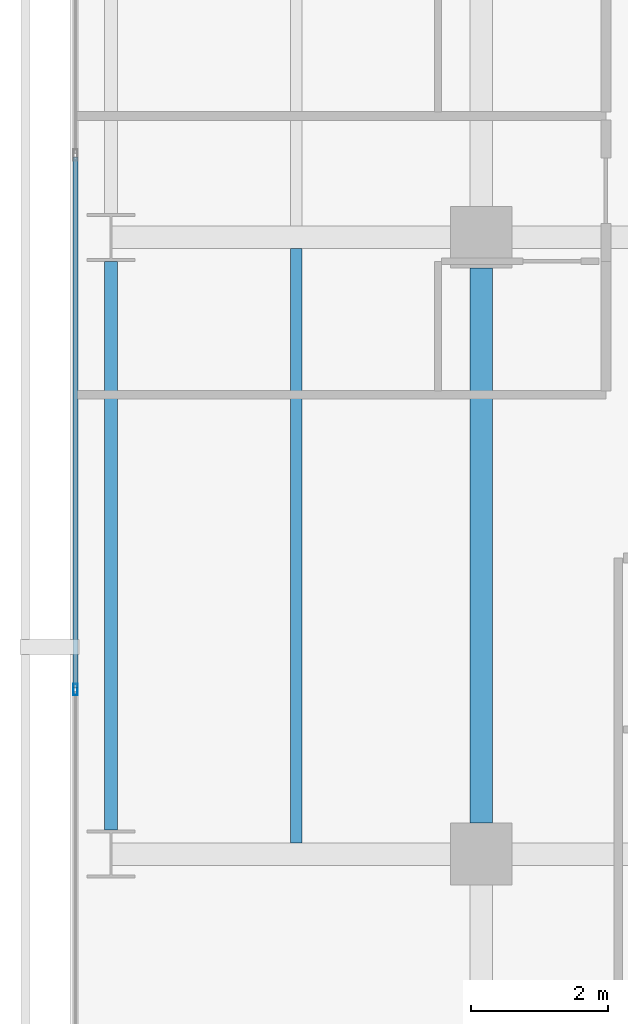
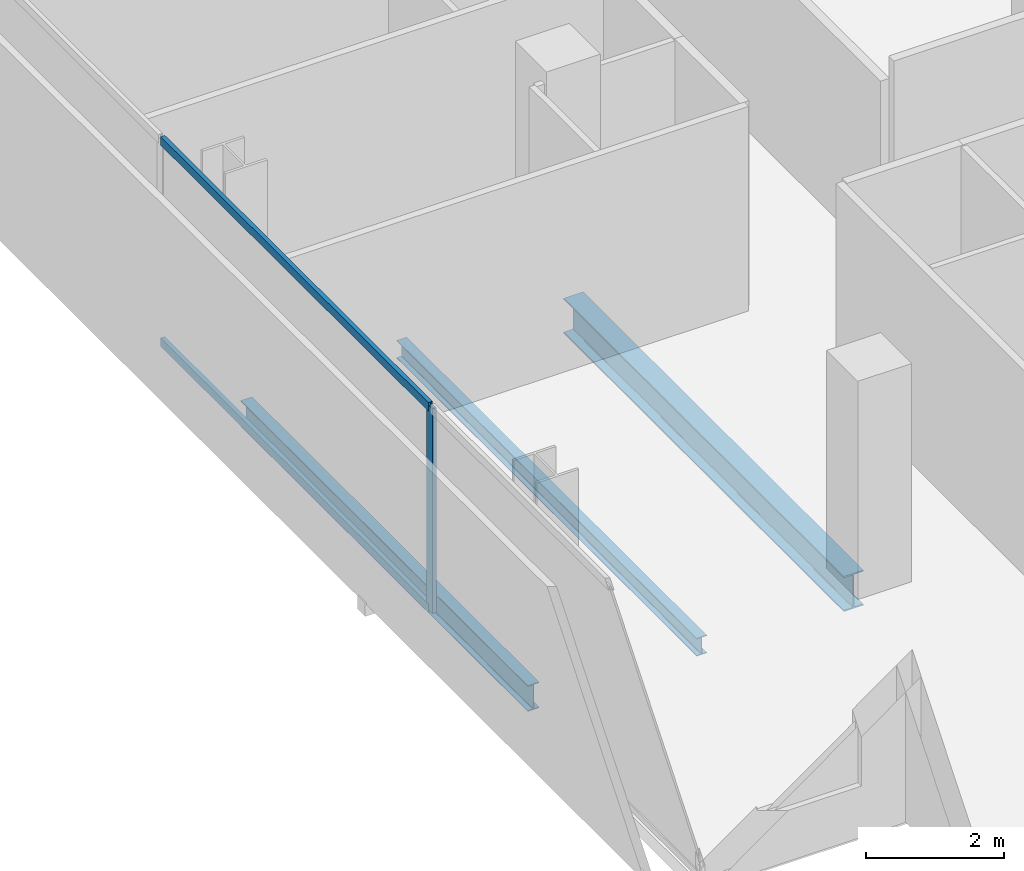
# One storey, part 5 of 40: 3 beams, 3 members, 1 element without a shape of its own.
"""IFC4 building model written with IfcOpenShell, lengths in metres."""

from ifc_helpers import new_model, si_unit, direction, frame, origin, origin_2d, place, context, subcontext, project, spatial, hollow_rectangle, i_section, extrude, material, layer, layer_set, material_profile, profile_set, type_object, element, aggregate, save


model = new_model("IFC4")

# Units and contexts
model_context = context("Model", 3, precision=1e-05, world=origin(), true_north=direction((0.0, 1.0)))
body_context = subcontext(model_context, "Body", "Model", "MODEL_VIEW")
ifc_project = project(units=[si_unit("LENGTHUNIT", "METRE"), si_unit("AREAUNIT", "SQUARE_METRE"), si_unit("VOLUMEUNIT", "CUBIC_METRE"), si_unit("PLANEANGLEUNIT", "RADIAN"), si_unit("MASSUNIT", "GRAM", prefix="KILO")], contexts=[model_context])

# Site, building, storey
site_placement = place(None, origin())
site = spatial("IfcSite", under=ifc_project, at=site_placement, CompositionType="ELEMENT")
building_placement = place(site_placement, origin())
building = spatial("IfcBuilding", under=site, at=building_placement, Name="Maruvema Waterfront Hotel and Observation Tower", CompositionType="ELEMENT")
storey_placement = place(building_placement, frame((0.0, 0.0, 57.75)))
storey = spatial("IfcBuildingStorey", under=building, at=storey_placement, Name="L13", CompositionType="ELEMENT", Elevation=57.75)

# Curtain wall, members
ifc_material_1 = material(Name="Anodised bronze aluminium and solar-control low-E IGU", Category="aluminium")
ifc_layer = layer(ifc_material_1, 0.159912109375, Name="Zone 1 Bronze Inner Thermal Curtain Wall System CW-02")
ifc_layer_set = layer_set([ifc_layer], Name="Anodised bronze aluminium and solar-control low-E IGU")
curtain_wall_type = type_object("IfcCurtainWallType", Name="Zone 1 Bronze Inner Thermal Curtain Wall System CW-02", PredefinedType="USERDEFINED", material=ifc_layer_set)
curtain_wall_placement = place(storey_placement, origin())
curtain_wall = element("IfcCurtainWall", 1, at=curtain_wall_placement, inside=storey, type_object=curtain_wall_type, Name="L13 Curtain Wall CW-L13-W", ObjectType="UNITISED CURTAIN WALL", PredefinedType="USERDEFINED")
ifc_material_2 = material(Name="Anodised architectural bronze aluminium", Category="aluminium")
ifc_material_profile_1 = material_profile(ifc_material_2, hollow_rectangle(XDim=0.070068359375, YDim=0.14990234375, WallThickness=0.00390625, at=origin_2d()), Name="ALU-T70x150")
ifc_profile_set_1 = profile_set([ifc_material_profile_1], Name="Anodised architectural bronze aluminium")
member_type_1 = type_object("IfcMemberType", Name="Curtain Wall Horizontal Transom ALU-T70x150", PredefinedType="USERDEFINED", material=ifc_profile_set_1)
member_1_placement = place(storey_placement, frame((10.8798828125, 19.169921875, 0.030029296875), z_axis=(0.0, -1.0, 0.0), x_axis=(1.0, 0.0, 0.0)))
member_1 = element("IfcMember", 2, at=member_1_placement, type_object=member_type_1, Name="CW-02 transom 5.1", ObjectType="TRANSOM", PredefinedType="USERDEFINED", context=body_context, shape_type="SweptSolid", body=[
    extrude(hollow_rectangle(XDim=0.070068359375, YDim=0.14990234375, WallThickness=0.00390625, at=origin_2d()), origin(), (0.0, 0.0, 1.0), 7.739990234375),
])
member_2_placement = place(storey_placement, frame((10.8798828125, 19.169921875, 3.580078125), z_axis=(0.0, -1.0, 0.0), x_axis=(1.0, 0.0, 0.0)))
member_2 = element("IfcMember", 3, at=member_2_placement, type_object=member_type_1, Name="CW-02 transom 5.2", ObjectType="TRANSOM", PredefinedType="USERDEFINED", context=body_context, shape_type="SweptSolid", body=[
    extrude(hollow_rectangle(XDim=0.070068359375, YDim=0.14990234375, WallThickness=0.00390625, at=origin_2d()), origin(), (0.0, 0.0, 1.0), 7.739990234375),
])
ifc_material_3 = material(Name="Anodised architectural bronze aluminium", Category="aluminium")
ifc_material_profile_2 = material_profile(ifc_material_3, hollow_rectangle(XDim=0.06494140625, YDim=0.1650390625, WallThickness=0.00390625, at=origin_2d()), Name="ALU-M65x165")
ifc_profile_set_2 = profile_set([ifc_material_profile_2], Name="Anodised architectural bronze aluminium")
member_type_2 = type_object("IfcMemberType", Name="Curtain Wall Primary Mullion ALU-M65x165", PredefinedType="MULLION", material=ifc_profile_set_2)
member_3_placement = place(storey_placement, frame((10.8798828125, 11.39990234375, 0.0), z_axis=(0.0, 0.0, 1.0), x_axis=(1.0, 0.0, 0.0)))
member_3 = element("IfcMember", 4, at=member_3_placement, type_object=member_type_2, Name="CW-02 mullion 6", PredefinedType="MULLION", context=body_context, shape_type="SweptSolid", body=[
    extrude(hollow_rectangle(XDim=0.06494140625, YDim=0.1650390625, WallThickness=0.00390625, at=origin_2d()), origin(), (0.0, 0.0, 1.0), 3.610107421875),
])
aggregate(curtain_wall, [member_3, member_1, member_2])

# Beams
ifc_material_4 = material(Name="Steel ASTM A572 Grade 50", Category="steel")
ifc_material_profile_3 = material_profile(ifc_material_4, i_section(OverallWidth=0.18994140625, OverallDepth=0.45703125, WebThickness=0.009033203125, FlangeThickness=0.014404296875, FilletRadius=0.014892578125, at=origin_2d()), Name="W460x74.0")
ifc_profile_set_3 = profile_set([ifc_material_profile_3], Name="Steel ASTM A572 Grade 50")
beam_type_1 = type_object("IfcBeamType", Name="Perimeter Spandrel Beam W460x74.0", PredefinedType="SPANDREL", material=ifc_profile_set_3)
beam_1_placement = place(storey_placement, frame((11.39990234375, 9.35009765625, -0.468505859375), z_axis=(0.0, 1.0, 0.0), x_axis=(-1.0, 0.0, 0.0)))
element("IfcBeam", 5, at=beam_1_placement, inside=storey, type_object=beam_type_1, Name="L13 Floor Girder NS-01", PredefinedType="SPANDREL", context=body_context, shape_type="SweptSolid", body=[
    extrude(i_section(OverallWidth=0.18994140625, OverallDepth=0.45703125, WebThickness=0.009033203125, FlangeThickness=0.014404296875, FilletRadius=0.014892578125, at=origin_2d()), origin(), (0.0, 0.0, 1.0), 8.2998046875),
])
ifc_material_5 = material(Name="Steel ASTM A572 Grade 50", Category="steel")
ifc_material_profile_4 = material_profile(ifc_material_5, i_section(OverallWidth=0.326904296875, OverallDepth=0.6220703125, WebThickness=0.015380859375, FlangeThickness=0.0244140625, FilletRadius=0.01806640625, at=origin_2d()), Name="W610x195.0")
ifc_profile_set_4 = profile_set([ifc_material_profile_4], Name="Steel ASTM A572 Grade 50")
beam_type_2 = type_object("IfcBeamType", Name="Primary Floor Girder W610x195.0", PredefinedType="BEAM", material=ifc_profile_set_4)
beam_2_placement = place(storey_placement, frame((16.800048828125, 9.449951171875, -0.551025390625), z_axis=(0.0, 1.0, 0.0), x_axis=(-1.0, 0.0, 0.0)))
element("IfcBeam", 6, at=beam_2_placement, inside=storey, type_object=beam_type_2, Name="L13 Floor Girder NS-06", PredefinedType="BEAM", context=body_context, shape_type="SweptSolid", body=[
    extrude(i_section(OverallWidth=0.326904296875, OverallDepth=0.6220703125, WebThickness=0.015380859375, FlangeThickness=0.0244140625, FilletRadius=0.01806640625, at=origin_2d()), origin(), (0.0, 0.0, 1.0), 8.10009765625),
])
ifc_material_6 = material(Name="Steel ASTM A572 Grade 50", Category="steel")
ifc_material_profile_5 = material_profile(ifc_material_6, i_section(OverallWidth=0.1669921875, OverallDepth=0.31689453125, WebThickness=0.007568359375, FlangeThickness=0.01318359375, FilletRadius=0.012939453125, at=origin_2d()), Name="W310x52.0")
ifc_profile_set_5 = profile_set([ifc_material_profile_5], Name="Steel ASTM A572 Grade 50")
beam_type_3 = type_object("IfcBeamType", Name="Secondary Floor Joist W310x52.0", PredefinedType="JOIST", material=ifc_profile_set_5)
beam_3_placement = place(storey_placement, frame((14.10009765625, 9.16357421875, -0.3984375), z_axis=(0.0, 1.0, 0.0), x_axis=(-1.0, 0.0, 0.0)))
element("IfcBeam", 7, at=beam_3_placement, inside=storey, type_object=beam_type_3, Name="L13 Secondary Floor Joist JS-01", PredefinedType="JOIST", context=body_context, shape_type="SweptSolid", body=[
    extrude(i_section(OverallWidth=0.1669921875, OverallDepth=0.31689453125, WebThickness=0.007568359375, FlangeThickness=0.01318359375, FilletRadius=0.012939453125, at=origin_2d()), origin(), (0.0, 0.0, 1.0), 8.6728515625),
])

save(model, "model.ifc")
